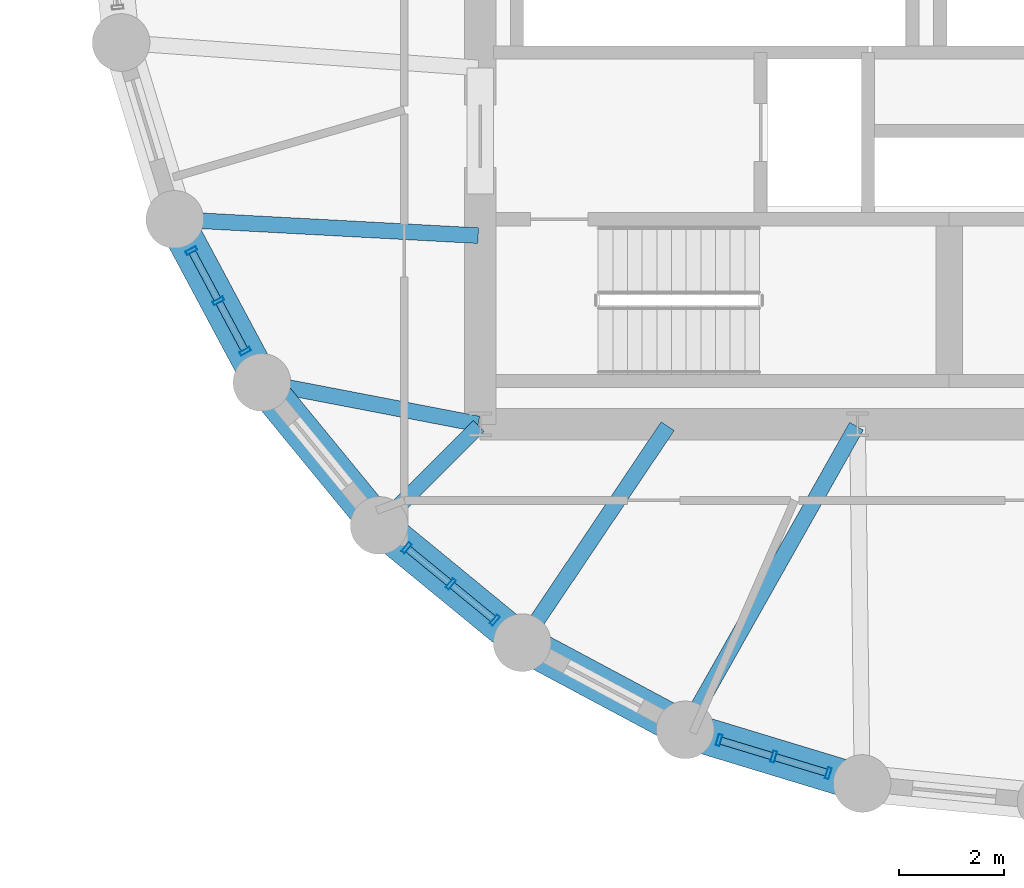
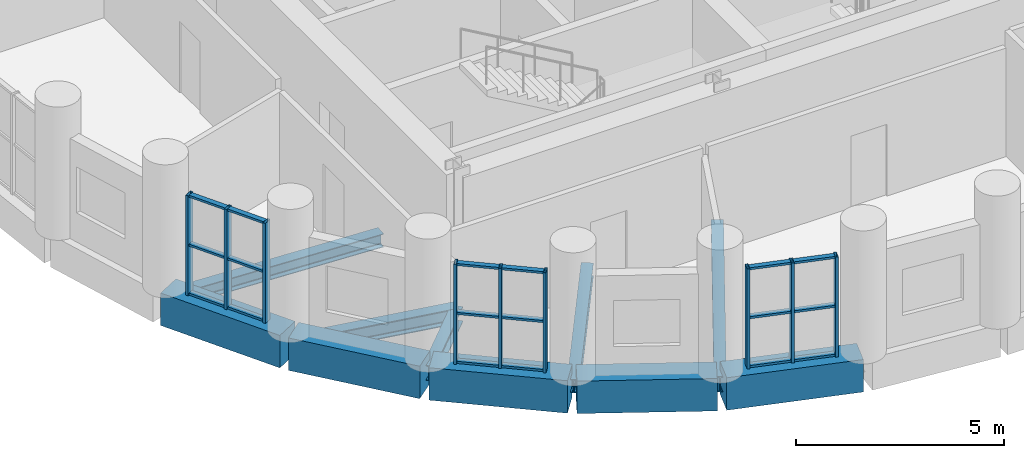
# One storey, part 2 of 13: 27 members, 10 beams, 3 elements without a shape of their own.
"""IFC4 building model written with IfcOpenShell, lengths in metres."""

from ifc_helpers import new_model, si_unit, direction, frame, origin, origin_2d, place, context, subcontext, project, spatial, rectangle, hollow_rectangle, i_section, extrude, material, layer, layer_set, material_profile, profile_set, type_object, element, aggregate, save


model = new_model("IFC4")

# Units and contexts
model_context = context("Model", 3, precision=1e-05, world=origin(), true_north=direction((0.0, 1.0)))
body_context = subcontext(model_context, "Body", "Model", "MODEL_VIEW")
ifc_project = project(units=[si_unit("LENGTHUNIT", "METRE"), si_unit("AREAUNIT", "SQUARE_METRE"), si_unit("VOLUMEUNIT", "CUBIC_METRE"), si_unit("PLANEANGLEUNIT", "RADIAN"), si_unit("MASSUNIT", "GRAM", prefix="KILO")], contexts=[model_context])

# Site, building, storey
site_placement = place(None, origin())
site = spatial("IfcSite", under=ifc_project, at=site_placement, CompositionType="ELEMENT")
building_placement = place(site_placement, origin())
building = spatial("IfcBuilding", under=site, at=building_placement, Name="Solnavia Interchange Tower", CompositionType="ELEMENT")
storey_placement = place(building_placement, frame((0.0, 0.0, 87.89990234375)))
storey = spatial("IfcBuildingStorey", under=building, at=storey_placement, Name="L21", CompositionType="ELEMENT", Elevation=87.89990234375)

# Beams
ifc_material_1 = material(Name="Steel S460", Category="steel")
ifc_material_profile_1 = material_profile(ifc_material_1, i_section(OverallWidth=0.300048828125, OverallDepth=0.449951171875, WebThickness=0.013916015625, FlangeThickness=0.02587890625, FilletRadius=0.027099609375, at=origin_2d()), Name="HEB 450")
ifc_profile_set_1 = profile_set([ifc_material_profile_1], Name="Steel S460")
beam_type_1 = type_object("IfcBeamType", Name="Beam-Girder-HEB450", PredefinedType="BEAM", material=ifc_profile_set_1)
beam_1_placement = place(storey_placement, frame((10.3125, 11.5849609375, -0.474853515625), z_axis=(0.982057527796, -0.188581579428, 0.0), x_axis=(0.188581579428, 0.982057527796, 0.0)))
element("IfcBeam", 1, at=beam_1_placement, inside=storey, type_object=beam_type_1, Name="GRD-L21-DR22 Drum radial floor girder", PredefinedType="BEAM", context=body_context, shape_type="SweptSolid", body=[
    extrude(i_section(OverallWidth=0.300048828125, OverallDepth=0.449951171875, WebThickness=0.013916015625, FlangeThickness=0.02587890625, FilletRadius=0.027099609375, at=origin_2d()), origin(), (0.0, 0.0, 1.0), 4.1220703125),
])
beam_2_placement = place(storey_placement, frame((18.351318359375, 5.039794921875, -0.474853515625), z_axis=(0.491243158486, 0.871022479182, 0.0), x_axis=(-0.871022479182, 0.491243158486, 0.0)))
element("IfcBeam", 2, at=beam_2_placement, inside=storey, type_object=beam_type_1, Name="GRD-L21-DR25 Drum radial floor girder", PredefinedType="BEAM", context=body_context, shape_type="SweptSolid", body=[
    extrude(i_section(OverallWidth=0.300048828125, OverallDepth=0.449951171875, WebThickness=0.013916015625, FlangeThickness=0.02587890625, FilletRadius=0.027099609375, at=origin_2d()), origin(), (0.0, 0.0, 1.0), 6.5732421875),
])
ifc_material_2 = material(Name="Steel S355", Category="steel")
ifc_material_profile_2 = material_profile(ifc_material_2, i_section(OverallWidth=0.300048828125, OverallDepth=0.389892578125, WebThickness=0.010986328125, FlangeThickness=0.01904296875, FilletRadius=0.027099609375, at=origin_2d()), Name="HEA 400")
ifc_profile_set_2 = profile_set([ifc_material_profile_2], Name="Steel S355")
beam_type_2 = type_object("IfcBeamType", Name="Beam-Primary-HEA400", PredefinedType="BEAM", material=ifc_profile_set_2)
beam_3_placement = place(storey_placement, frame((8.64990234375, 14.707763671875, -0.44482421875), z_axis=(0.998570371303, -0.053452909696, 0.0), x_axis=(0.053452909696, 0.998570371303, 0.0)))
element("IfcBeam", 3, at=beam_3_placement, inside=storey, type_object=beam_type_2, Name="GRD-L21-DR21 Drum radial floor girder", PredefinedType="BEAM", context=body_context, shape_type="SweptSolid", body=[
    extrude(i_section(OverallWidth=0.300048828125, OverallDepth=0.389892578125, WebThickness=0.010986328125, FlangeThickness=0.01904296875, FilletRadius=0.027099609375, at=origin_2d()), origin(), (0.0, 0.0, 1.0), 5.71826171875),
])
beam_4_placement = place(storey_placement, frame((15.24462890625, 6.700439453125, -0.44482421875), z_axis=(0.557835474219, 0.829951555033, 0.0), x_axis=(-0.829951555033, 0.557835474219, 0.0)))
element("IfcBeam", 4, at=beam_4_placement, inside=storey, type_object=beam_type_2, Name="GRD-L21-DR24 Drum radial floor girder", PredefinedType="BEAM", context=body_context, shape_type="SweptSolid", body=[
    extrude(i_section(OverallWidth=0.300048828125, OverallDepth=0.389892578125, WebThickness=0.010986328125, FlangeThickness=0.01904296875, FilletRadius=0.027099609375, at=origin_2d()), origin(), (0.0, 0.0, 1.0), 4.899658203125),
])
ifc_material_profile_3 = material_profile(ifc_material_2, i_section(OverallWidth=0.300048828125, OverallDepth=0.43994140625, WebThickness=0.011474609375, FlangeThickness=0.02099609375, FilletRadius=0.027099609375, at=origin_2d()), Name="HEA 450")
ifc_profile_set_3 = profile_set([ifc_material_profile_3], Name="Steel S355")
beam_type_3 = type_object("IfcBeamType", Name="Beam-Primary-HEA450", PredefinedType="BEAM", material=ifc_profile_set_3)
beam_5_placement = place(storey_placement, frame((12.528564453125, 8.9287109375, -0.469970703125), z_axis=(0.707106781187, 0.707106781187, 0.0), x_axis=(-0.707106781187, 0.707106781187, 0.0)))
element("IfcBeam", 5, at=beam_5_placement, inside=storey, type_object=beam_type_3, Name="GRD-L21-DR23 Drum radial floor girder", PredefinedType="BEAM", context=body_context, shape_type="SweptSolid", body=[
    extrude(i_section(OverallWidth=0.300048828125, OverallDepth=0.43994140625, WebThickness=0.011474609375, FlangeThickness=0.02099609375, FilletRadius=0.027099609375, at=origin_2d()), origin(), (0.0, 0.0, 1.0), 2.6064453125),
])
ifc_material_3 = material(Name="Concrete C50/60", Category="concrete")
ifc_material_profile_4 = material_profile(ifc_material_3, rectangle(XDim=0.699951171875, YDim=0.949951171875, at=origin_2d()), Name="RC 700x950")
ifc_profile_set_4 = profile_set([ifc_material_profile_4], Name="Concrete C50/60")
beam_type_4 = type_object("IfcBeamType", Name="Beam-Spandrel-RC700x950", PredefinedType="SPANDREL", material=ifc_profile_set_4)
beam_6_placement = place(storey_placement, frame((8.607666015625, 14.6416015625, -0.474853515625), z_axis=(0.471509422952, -0.881861023102, 0.0), x_axis=(0.881861023102, 0.471509422952, 0.0)))
element("IfcBeam", 6, at=beam_6_placement, inside=storey, type_object=beam_type_4, Name="SPB-L21-03 Framed-tube perimeter spandrel beam", PredefinedType="SPANDREL", context=body_context, shape_type="SweptSolid", body=[
    extrude(rectangle(XDim=0.699951171875, YDim=0.949951171875, at=origin_2d()), origin(), (0.0, 0.0, 1.0), 3.369140625),
])
for number, where, z_axis, x_axis, name in (
    (7, (10.28466796875, 11.5380859375, -0.474853515625), (0.634298841675, -0.773087950656, 0.0), (0.773087950656, 0.634298841675, 0.0), "SPB-L21-04 Framed-tube perimeter spandrel beam"),
    (8, (12.53369140625, 8.8212890625, -0.474853515625), (0.773152644452, -0.634219984214, 0.0), (0.634219984214, 0.773152644452, 0.0), "SPB-L21-05 Framed-tube perimeter spandrel beam"),
):
    element("IfcBeam", number, at=place(storey_placement, frame(where, z_axis=z_axis, x_axis=x_axis)), inside=storey, type_object=beam_type_4, Name=name, PredefinedType="SPANDREL", context=body_context, shape_type="SweptSolid", body=[
        extrude(rectangle(XDim=0.699951171875, YDim=0.949951171875, at=origin_2d()), origin(), (0.0, 0.0, 1.0), 3.36865234375),
    ])
beam_7_placement = place(storey_placement, frame((15.2705078125, 6.59619140625, -0.474853515625), z_axis=(0.881875044348, -0.47148319817, 0.0), x_axis=(0.47148319817, 0.881875044348, 0.0)))
element("IfcBeam", 9, at=beam_7_placement, inside=storey, type_object=beam_type_4, Name="SPB-L21-06 Framed-tube perimeter spandrel beam", PredefinedType="SPANDREL", context=body_context, shape_type="SweptSolid", body=[
    extrude(rectangle(XDim=0.699951171875, YDim=0.949951171875, at=origin_2d()), origin(), (0.0, 0.0, 1.0), 3.368896484375),
])
beam_8_placement = place(storey_placement, frame((18.388671875, 4.94677734375, -0.474853515625), z_axis=(0.956943884494, -0.290272978297, 0.0), x_axis=(0.290272978297, 0.956943884494, 0.0)))
element("IfcBeam", 10, at=beam_8_placement, inside=storey, type_object=beam_type_4, Name="SPB-L21-07 Framed-tube perimeter spandrel beam", PredefinedType="SPANDREL", context=body_context, shape_type="SweptSolid", body=[
    extrude(rectangle(XDim=0.699951171875, YDim=0.949951171875, at=origin_2d()), origin(), (0.0, 0.0, 1.0), 3.36767578125),
])

# Curtain wall, members
ifc_material_4 = material(Name="Aluminium Alloy 6063-T6", Category="aluminium")
ifc_layer = layer(ifc_material_4, 0.239990234375)
ifc_layer_set = layer_set([ifc_layer], Name="Aluminium Alloy 6063-T6")
curtain_wall_type = type_object("IfcCurtainWallType", Name="CurtainWall-Drum-CTW2", PredefinedType="NOTDEFINED", material=ifc_layer_set)
curtain_wall_1_placement = place(storey_placement, origin())
curtain_wall_1 = element("IfcCurtainWall", 11, at=curtain_wall_1_placement, inside=storey, type_object=curtain_wall_type, Name="CTW-L21-D57 CTW-2 curtain wall", PredefinedType="NOTDEFINED")
ifc_material_profile_5 = material_profile(ifc_material_4, hollow_rectangle(XDim=0.074951171875, YDim=0.219970703125, WallThickness=0.0048828125, at=origin_2d()), Name="ALU 220x75x5")
ifc_profile_set_5 = profile_set([ifc_material_profile_5], Name="Aluminium Alloy 6063-T6")
member_type_1 = type_object("IfcMemberType", Name="CW-Mullion-CWM-2", PredefinedType="MULLION", material=ifc_profile_set_5)
member_1_placement = place(storey_placement, frame((8.88818359375, 14.11669921875, 0.0), z_axis=(0.0, 0.0, 1.0), x_axis=(0.471536719402, -0.881846427818, 0.0)))
member_1 = element("IfcMember", 12, at=member_1_placement, type_object=member_type_1, Name="CTW-2 mullion 1", PredefinedType="MULLION", context=body_context, shape_type="SweptSolid", body=[
    extrude(hollow_rectangle(XDim=0.074951171875, YDim=0.219970703125, WallThickness=0.0048828125, at=origin_2d()), origin(), (0.0, 0.0, 1.0), 2.93017578125),
])
member_2_placement = place(storey_placement, frame((9.402099609375, 13.156005859375, 0.0), z_axis=(0.0, 0.0, 1.0), x_axis=(0.471536719402, -0.881846427818, 0.0)))
member_2 = element("IfcMember", 13, at=member_2_placement, type_object=member_type_1, Name="CTW-2 mullion 2", PredefinedType="MULLION", context=body_context, shape_type="SweptSolid", body=[
    extrude(hollow_rectangle(XDim=0.074951171875, YDim=0.219970703125, WallThickness=0.0048828125, at=origin_2d()), origin(), (0.0, 0.0, 1.0), 2.93017578125),
])
member_3_placement = place(storey_placement, frame((9.915771484375, 12.1953125, 0.0), z_axis=(0.0, 0.0, 1.0), x_axis=(0.471536719402, -0.881846427818, 0.0)))
member_3 = element("IfcMember", 14, at=member_3_placement, type_object=member_type_1, Name="CTW-2 mullion 3", PredefinedType="MULLION", context=body_context, shape_type="SweptSolid", body=[
    extrude(hollow_rectangle(XDim=0.074951171875, YDim=0.219970703125, WallThickness=0.0048828125, at=origin_2d()), origin(), (0.0, 0.0, 1.0), 2.93017578125),
])

curtain_wall_2_placement = place(storey_placement, origin())
curtain_wall_2 = element("IfcCurtainWall", 15, at=curtain_wall_2_placement, inside=storey, type_object=curtain_wall_type, Name="CTW-L21-D59 CTW-2 curtain wall", PredefinedType="NOTDEFINED")
member_4_placement = place(storey_placement, frame((12.993896484375, 8.44384765625, 0.0), z_axis=(0.0, 0.0, 1.0), x_axis=(0.773094572227, -0.634290771172, 0.0)))
member_4 = element("IfcMember", 16, at=member_4_placement, type_object=member_type_1, Name="CTW-2 mullion 1", PredefinedType="MULLION", context=body_context, shape_type="SweptSolid", body=[
    extrude(hollow_rectangle(XDim=0.074951171875, YDim=0.219970703125, WallThickness=0.0048828125, at=origin_2d()), origin(), (0.0, 0.0, 1.0), 2.93017578125),
])
member_5_placement = place(storey_placement, frame((13.8359375, 7.7529296875, 0.0), z_axis=(0.0, 0.0, 1.0), x_axis=(0.773094572227, -0.634290771172, 0.0)))
member_5 = element("IfcMember", 17, at=member_5_placement, type_object=member_type_1, Name="CTW-2 mullion 2", PredefinedType="MULLION", context=body_context, shape_type="SweptSolid", body=[
    extrude(hollow_rectangle(XDim=0.074951171875, YDim=0.219970703125, WallThickness=0.0048828125, at=origin_2d()), origin(), (0.0, 0.0, 1.0), 2.93017578125),
])
member_6_placement = place(storey_placement, frame((14.67822265625, 7.06201171875, 0.0), z_axis=(0.0, 0.0, 1.0), x_axis=(0.773094572227, -0.634290771172, 0.0)))
member_6 = element("IfcMember", 18, at=member_6_placement, type_object=member_type_1, Name="CTW-2 mullion 3", PredefinedType="MULLION", context=body_context, shape_type="SweptSolid", body=[
    extrude(hollow_rectangle(XDim=0.074951171875, YDim=0.219970703125, WallThickness=0.0048828125, at=origin_2d()), origin(), (0.0, 0.0, 1.0), 2.93017578125),
])

curtain_wall_3_placement = place(storey_placement, origin())
curtain_wall_3 = element("IfcCurtainWall", 19, at=curtain_wall_3_placement, inside=storey, type_object=curtain_wall_type, Name="CTW-L21-D61 CTW-2 curtain wall", PredefinedType="NOTDEFINED")
member_7_placement = place(storey_placement, frame((18.9580078125, 4.774169921875, 0.0), z_axis=(0.0, 0.0, 1.0), x_axis=(0.956934759739, -0.290303058206, 0.0)))
member_7 = element("IfcMember", 20, at=member_7_placement, type_object=member_type_1, Name="CTW-2 mullion 1", PredefinedType="MULLION", context=body_context, shape_type="SweptSolid", body=[
    extrude(hollow_rectangle(XDim=0.074951171875, YDim=0.219970703125, WallThickness=0.0048828125, at=origin_2d()), origin(), (0.0, 0.0, 1.0), 2.93017578125),
])
member_8_placement = place(storey_placement, frame((20.0, 4.4580078125, 0.0), z_axis=(0.0, 0.0, 1.0), x_axis=(0.956934759739, -0.290303058206, 0.0)))
member_8 = element("IfcMember", 21, at=member_8_placement, type_object=member_type_1, Name="CTW-2 mullion 2", PredefinedType="MULLION", context=body_context, shape_type="SweptSolid", body=[
    extrude(hollow_rectangle(XDim=0.074951171875, YDim=0.219970703125, WallThickness=0.0048828125, at=origin_2d()), origin(), (0.0, 0.0, 1.0), 2.93017578125),
])
member_9_placement = place(storey_placement, frame((21.0419921875, 4.141845703125, 0.0), z_axis=(0.0, 0.0, 1.0), x_axis=(0.956934759739, -0.290303058206, 0.0)))
member_9 = element("IfcMember", 22, at=member_9_placement, type_object=member_type_1, Name="CTW-2 mullion 3", PredefinedType="MULLION", context=body_context, shape_type="SweptSolid", body=[
    extrude(hollow_rectangle(XDim=0.074951171875, YDim=0.219970703125, WallThickness=0.0048828125, at=origin_2d()), origin(), (0.0, 0.0, 1.0), 2.93017578125),
])

# Member
ifc_material_profile_6 = material_profile(ifc_material_4, hollow_rectangle(XDim=0.06494140625, YDim=0.139892578125, WallThickness=0.00390625, at=origin_2d()), Name="ALU 140x65x4")
ifc_profile_set_6 = profile_set([ifc_material_profile_6], Name="Aluminium Alloy 6063-T6")
member_type_2 = type_object("IfcMemberType", Name="CW-Transom-CWT-2", PredefinedType="USERDEFINED", material=ifc_profile_set_6)
member_10_placement = place(storey_placement, frame((8.906005859375, 14.083740234375, 0.03271484375), z_axis=(0.471399859925, -0.88191959501, 0.0), x_axis=(0.0, 0.0, 1.0)))
member_10 = element("IfcMember", 23, at=member_10_placement, type_object=member_type_2, Name="CTW-2 transom 1.1", ObjectType="TRANSOM", PredefinedType="USERDEFINED", context=body_context, shape_type="SweptSolid", body=[
    extrude(hollow_rectangle(XDim=0.06494140625, YDim=0.139892578125, WallThickness=0.00390625, at=origin_2d()), origin(), (0.0, 0.0, 1.0), 1.0146484375),
])

member_11_placement = place(storey_placement, frame((8.906005859375, 14.083740234375, 1.465087890625), z_axis=(0.471399859925, -0.88191959501, 0.0), x_axis=(0.0, 0.0, 1.0)))
member_11 = element("IfcMember", 24, at=member_11_placement, type_object=member_type_2, Name="CTW-2 transom 1.2", ObjectType="TRANSOM", PredefinedType="USERDEFINED", context=body_context, shape_type="SweptSolid", body=[
    extrude(hollow_rectangle(XDim=0.06494140625, YDim=0.139892578125, WallThickness=0.00390625, at=origin_2d()), origin(), (0.0, 0.0, 1.0), 1.0146484375),
])

member_12_placement = place(storey_placement, frame((8.906005859375, 14.083740234375, 2.897705078125), z_axis=(0.471399859925, -0.88191959501, 0.0), x_axis=(0.0, 0.0, 1.0)))
member_12 = element("IfcMember", 25, at=member_12_placement, type_object=member_type_2, Name="CTW-2 transom 1.3", ObjectType="TRANSOM", PredefinedType="USERDEFINED", context=body_context, shape_type="SweptSolid", body=[
    extrude(hollow_rectangle(XDim=0.06494140625, YDim=0.139892578125, WallThickness=0.00390625, at=origin_2d()), origin(), (0.0, 0.0, 1.0), 1.0146484375),
])

member_13_placement = place(storey_placement, frame((9.419677734375, 13.123046875, 0.03271484375), z_axis=(0.471399859925, -0.88191959501, 0.0), x_axis=(0.0, 0.0, 1.0)))
member_13 = element("IfcMember", 26, at=member_13_placement, type_object=member_type_2, Name="CTW-2 transom 2.1", ObjectType="TRANSOM", PredefinedType="USERDEFINED", context=body_context, shape_type="SweptSolid", body=[
    extrude(hollow_rectangle(XDim=0.06494140625, YDim=0.139892578125, WallThickness=0.00390625, at=origin_2d()), origin(), (0.0, 0.0, 1.0), 1.0146484375),
])

member_14_placement = place(storey_placement, frame((9.419677734375, 13.123046875, 1.465087890625), z_axis=(0.471399859925, -0.88191959501, 0.0), x_axis=(0.0, 0.0, 1.0)))
member_14 = element("IfcMember", 27, at=member_14_placement, type_object=member_type_2, Name="CTW-2 transom 2.2", ObjectType="TRANSOM", PredefinedType="USERDEFINED", context=body_context, shape_type="SweptSolid", body=[
    extrude(hollow_rectangle(XDim=0.06494140625, YDim=0.139892578125, WallThickness=0.00390625, at=origin_2d()), origin(), (0.0, 0.0, 1.0), 1.0146484375),
])

member_15_placement = place(storey_placement, frame((9.419677734375, 13.123046875, 2.897705078125), z_axis=(0.471399859925, -0.88191959501, 0.0), x_axis=(0.0, 0.0, 1.0)))
member_15 = element("IfcMember", 28, at=member_15_placement, type_object=member_type_2, Name="CTW-2 transom 2.3", ObjectType="TRANSOM", PredefinedType="USERDEFINED", context=body_context, shape_type="SweptSolid", body=[
    extrude(hollow_rectangle(XDim=0.06494140625, YDim=0.139892578125, WallThickness=0.00390625, at=origin_2d()), origin(), (0.0, 0.0, 1.0), 1.0146484375),
])

aggregate(curtain_wall_1, [member_1, member_2, member_3, member_10, member_11, member_12, member_13, member_14, member_15])

member_16_placement = place(storey_placement, frame((13.02294921875, 8.420166015625, 0.03271484375), z_axis=(0.773130870672, -0.634246526844, 0.0), x_axis=(0.0, 0.0, 1.0)))
member_16 = element("IfcMember", 29, at=member_16_placement, type_object=member_type_2, Name="CTW-2 transom 1.1", ObjectType="TRANSOM", PredefinedType="USERDEFINED", context=body_context, shape_type="SweptSolid", body=[
    extrude(hollow_rectangle(XDim=0.06494140625, YDim=0.139892578125, WallThickness=0.00390625, at=origin_2d()), origin(), (0.0, 0.0, 1.0), 1.014404296875),
])

member_17_placement = place(storey_placement, frame((13.02294921875, 8.420166015625, 1.465087890625), z_axis=(0.773130870672, -0.634246526844, 0.0), x_axis=(0.0, 0.0, 1.0)))
member_17 = element("IfcMember", 30, at=member_17_placement, type_object=member_type_2, Name="CTW-2 transom 1.2", ObjectType="TRANSOM", PredefinedType="USERDEFINED", context=body_context, shape_type="SweptSolid", body=[
    extrude(hollow_rectangle(XDim=0.06494140625, YDim=0.139892578125, WallThickness=0.00390625, at=origin_2d()), origin(), (0.0, 0.0, 1.0), 1.014404296875),
])

member_18_placement = place(storey_placement, frame((13.02294921875, 8.420166015625, 2.897705078125), z_axis=(0.773130870672, -0.634246526844, 0.0), x_axis=(0.0, 0.0, 1.0)))
member_18 = element("IfcMember", 31, at=member_18_placement, type_object=member_type_2, Name="CTW-2 transom 1.3", ObjectType="TRANSOM", PredefinedType="USERDEFINED", context=body_context, shape_type="SweptSolid", body=[
    extrude(hollow_rectangle(XDim=0.06494140625, YDim=0.139892578125, WallThickness=0.00390625, at=origin_2d()), origin(), (0.0, 0.0, 1.0), 1.014404296875),
])

member_19_placement = place(storey_placement, frame((13.864990234375, 7.729248046875, 0.03271484375), z_axis=(0.773130870672, -0.634246526844, 0.0), x_axis=(0.0, 0.0, 1.0)))
member_19 = element("IfcMember", 32, at=member_19_placement, type_object=member_type_2, Name="CTW-2 transom 2.1", ObjectType="TRANSOM", PredefinedType="USERDEFINED", context=body_context, shape_type="SweptSolid", body=[
    extrude(hollow_rectangle(XDim=0.06494140625, YDim=0.139892578125, WallThickness=0.00390625, at=origin_2d()), origin(), (0.0, 0.0, 1.0), 1.014404296875),
])

member_20_placement = place(storey_placement, frame((13.864990234375, 7.729248046875, 1.465087890625), z_axis=(0.773130870672, -0.634246526844, 0.0), x_axis=(0.0, 0.0, 1.0)))
member_20 = element("IfcMember", 33, at=member_20_placement, type_object=member_type_2, Name="CTW-2 transom 2.2", ObjectType="TRANSOM", PredefinedType="USERDEFINED", context=body_context, shape_type="SweptSolid", body=[
    extrude(hollow_rectangle(XDim=0.06494140625, YDim=0.139892578125, WallThickness=0.00390625, at=origin_2d()), origin(), (0.0, 0.0, 1.0), 1.014404296875),
])

member_21_placement = place(storey_placement, frame((13.864990234375, 7.729248046875, 2.897705078125), z_axis=(0.773130870672, -0.634246526844, 0.0), x_axis=(0.0, 0.0, 1.0)))
member_21 = element("IfcMember", 34, at=member_21_placement, type_object=member_type_2, Name="CTW-2 transom 2.3", ObjectType="TRANSOM", PredefinedType="USERDEFINED", context=body_context, shape_type="SweptSolid", body=[
    extrude(hollow_rectangle(XDim=0.06494140625, YDim=0.139892578125, WallThickness=0.00390625, at=origin_2d()), origin(), (0.0, 0.0, 1.0), 1.014404296875),
])

aggregate(curtain_wall_2, [member_4, member_5, member_6, member_16, member_17, member_18, member_19, member_20, member_21])

member_22_placement = place(storey_placement, frame((18.993896484375, 4.76318359375, 0.03271484375), z_axis=(0.956973757237, -0.290174478478, 0.0), x_axis=(0.0, 0.0, 1.0)))
member_22 = element("IfcMember", 35, at=member_22_placement, type_object=member_type_2, Name="CTW-2 transom 1.1", ObjectType="TRANSOM", PredefinedType="USERDEFINED", context=body_context, shape_type="SweptSolid", body=[
    extrude(hollow_rectangle(XDim=0.06494140625, YDim=0.139892578125, WallThickness=0.00390625, at=origin_2d()), origin(), (0.0, 0.0, 1.0), 1.013916015625),
])

member_23_placement = place(storey_placement, frame((18.993896484375, 4.76318359375, 1.465087890625), z_axis=(0.956973757237, -0.290174478478, 0.0), x_axis=(0.0, 0.0, 1.0)))
member_23 = element("IfcMember", 36, at=member_23_placement, type_object=member_type_2, Name="CTW-2 transom 1.2", ObjectType="TRANSOM", PredefinedType="USERDEFINED", context=body_context, shape_type="SweptSolid", body=[
    extrude(hollow_rectangle(XDim=0.06494140625, YDim=0.139892578125, WallThickness=0.00390625, at=origin_2d()), origin(), (0.0, 0.0, 1.0), 1.013916015625),
])

member_24_placement = place(storey_placement, frame((18.993896484375, 4.76318359375, 2.897705078125), z_axis=(0.956973757237, -0.290174478478, 0.0), x_axis=(0.0, 0.0, 1.0)))
member_24 = element("IfcMember", 37, at=member_24_placement, type_object=member_type_2, Name="CTW-2 transom 1.3", ObjectType="TRANSOM", PredefinedType="USERDEFINED", context=body_context, shape_type="SweptSolid", body=[
    extrude(hollow_rectangle(XDim=0.06494140625, YDim=0.139892578125, WallThickness=0.00390625, at=origin_2d()), origin(), (0.0, 0.0, 1.0), 1.013916015625),
])

member_25_placement = place(storey_placement, frame((20.035888671875, 4.447021484375, 0.03271484375), z_axis=(0.956973757237, -0.290174478478, 0.0), x_axis=(0.0, 0.0, 1.0)))
member_25 = element("IfcMember", 38, at=member_25_placement, type_object=member_type_2, Name="CTW-2 transom 2.1", ObjectType="TRANSOM", PredefinedType="USERDEFINED", context=body_context, shape_type="SweptSolid", body=[
    extrude(hollow_rectangle(XDim=0.06494140625, YDim=0.139892578125, WallThickness=0.00390625, at=origin_2d()), origin(), (0.0, 0.0, 1.0), 1.013916015625),
])

member_26_placement = place(storey_placement, frame((20.035888671875, 4.447021484375, 1.465087890625), z_axis=(0.956973757237, -0.290174478478, 0.0), x_axis=(0.0, 0.0, 1.0)))
member_26 = element("IfcMember", 39, at=member_26_placement, type_object=member_type_2, Name="CTW-2 transom 2.2", ObjectType="TRANSOM", PredefinedType="USERDEFINED", context=body_context, shape_type="SweptSolid", body=[
    extrude(hollow_rectangle(XDim=0.06494140625, YDim=0.139892578125, WallThickness=0.00390625, at=origin_2d()), origin(), (0.0, 0.0, 1.0), 1.013916015625),
])

member_27_placement = place(storey_placement, frame((20.035888671875, 4.447021484375, 2.897705078125), z_axis=(0.956973757237, -0.290174478478, 0.0), x_axis=(0.0, 0.0, 1.0)))
member_27 = element("IfcMember", 40, at=member_27_placement, type_object=member_type_2, Name="CTW-2 transom 2.3", ObjectType="TRANSOM", PredefinedType="USERDEFINED", context=body_context, shape_type="SweptSolid", body=[
    extrude(hollow_rectangle(XDim=0.06494140625, YDim=0.139892578125, WallThickness=0.00390625, at=origin_2d()), origin(), (0.0, 0.0, 1.0), 1.013916015625),
])

aggregate(curtain_wall_3, [member_7, member_8, member_9, member_22, member_23, member_24, member_25, member_26, member_27])

save(model, "model.ifc")
